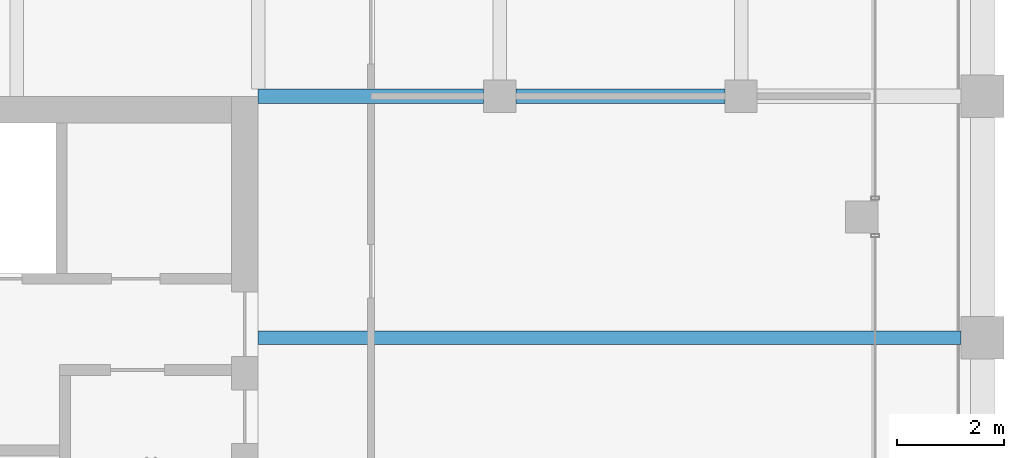
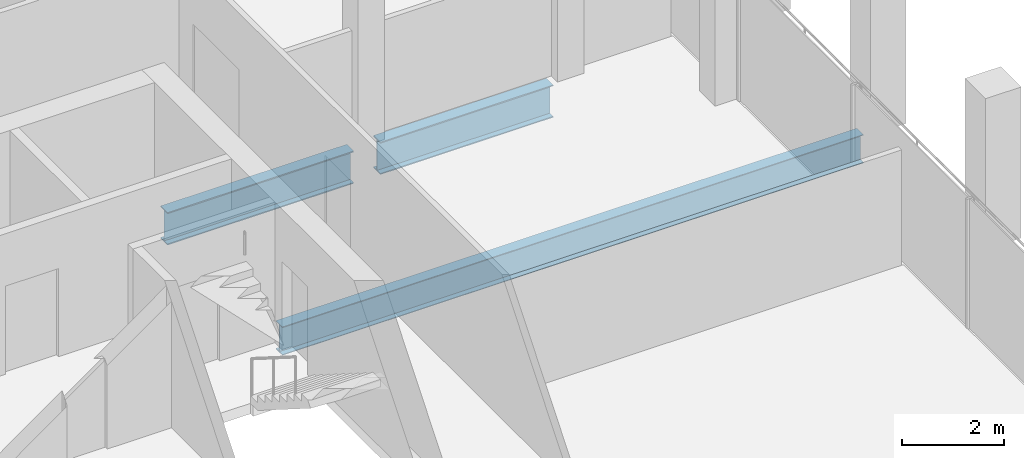
# One storey, part 18 of 30: 3 beams.
"""IFC4 building model written with IfcOpenShell, lengths in metres."""

from ifc_helpers import new_model, si_unit, direction, frame, origin, origin_2d, place, context, subcontext, project, spatial, i_section, extrude, material, material_profile, profile_set, type_object, element, save


model = new_model("IFC4")

# Units and contexts
model_context = context("Model", 3, precision=1e-05, world=origin(), true_north=direction((0.0, 1.0)))
body_context = subcontext(model_context, "Body", "Model", "MODEL_VIEW")
ifc_project = project(units=[si_unit("LENGTHUNIT", "METRE"), si_unit("AREAUNIT", "SQUARE_METRE"), si_unit("VOLUMEUNIT", "CUBIC_METRE"), si_unit("PLANEANGLEUNIT", "RADIAN"), si_unit("MASSUNIT", "GRAM", prefix="KILO")], contexts=[model_context])

# Site, building, storey
site_placement = place(None, origin())
site = spatial("IfcSite", under=ifc_project, at=site_placement, CompositionType="ELEMENT")
building_placement = place(site_placement, origin())
building = spatial("IfcBuilding", under=site, at=building_placement, Name="Altepetl Exchange Towers", CompositionType="ELEMENT")
storey_placement = place(building_placement, frame((0.0, 0.0, 228.0)))
storey = spatial("IfcBuildingStorey", under=building, at=storey_placement, Name="L58", CompositionType="ELEMENT", Elevation=228.0)

# Beams
ifc_material = material(Name="Steel S355", Category="steel")
ifc_material_profile_1 = material_profile(ifc_material, i_section(OverallWidth=0.2529296875, OverallDepth=0.677978515625, WebThickness=0.01171875, FlangeThickness=0.016357421875, at=origin_2d()), Name="W27X84")
ifc_profile_set_1 = profile_set([ifc_material_profile_1], Name="Steel S355")
beam_type_1 = type_object("IfcBeamType", Name="Floor beam W27X84", PredefinedType="BEAM", material=ifc_profile_set_1)
beam_1_placement = place(storey_placement, frame((58.5, 54.0, -0.489013671875), z_axis=(1.0, 0.0, 0.0), x_axis=(0.0, 1.0, 0.0)))
element("IfcBeam", 1, at=beam_1_placement, inside=storey, type_object=beam_type_1, Name="bm:A:L58:011", PredefinedType="BEAM", context=body_context, shape_type="SweptSolid", body=[
    extrude(i_section(OverallWidth=0.2529296875, OverallDepth=0.677978515625, WebThickness=0.01171875, FlangeThickness=0.016357421875, at=origin_2d()), origin(), (0.0, 0.0, 1.0), 13.10009765625),
])
ifc_material_profile_2 = material_profile(ifc_material, i_section(OverallWidth=0.26806640625, OverallDepth=0.77392578125, WebThickness=0.015380859375, FlangeThickness=0.025390625, at=origin_2d()), Name="W30X132")
ifc_profile_set_2 = profile_set([ifc_material_profile_2], Name="Steel S355")
beam_type_2 = type_object("IfcBeamType", Name="Girder W30X132", PredefinedType="BEAM", material=ifc_profile_set_2)
beam_2_placement = place(storey_placement, frame((58.5, 58.5, -0.537109375), z_axis=(1.0, 0.0, 0.0), x_axis=(0.0, 1.0, 0.0)))
element("IfcBeam", 2, at=beam_2_placement, inside=storey, type_object=beam_type_2, Name="gd:A:L58:000", PredefinedType="BEAM", context=body_context, shape_type="SweptSolid", body=[
    extrude(i_section(OverallWidth=0.26806640625, OverallDepth=0.77392578125, WebThickness=0.015380859375, FlangeThickness=0.025390625, at=origin_2d()), origin(), (0.0, 0.0, 1.0), 4.199951171875),
])
beam_3_placement = place(storey_placement, frame((63.300048828125, 58.5, -0.537109375), z_axis=(1.0, 0.0, 0.0), x_axis=(0.0, 1.0, 0.0)))
element("IfcBeam", 3, at=beam_3_placement, inside=storey, type_object=beam_type_2, Name="gd:A:L58:001", PredefinedType="BEAM", context=body_context, shape_type="SweptSolid", body=[
    extrude(i_section(OverallWidth=0.26806640625, OverallDepth=0.77392578125, WebThickness=0.015380859375, FlangeThickness=0.025390625, at=origin_2d()), origin(), (0.0, 0.0, 1.0), 3.89990234375),
])

save(model, "model.ifc")
